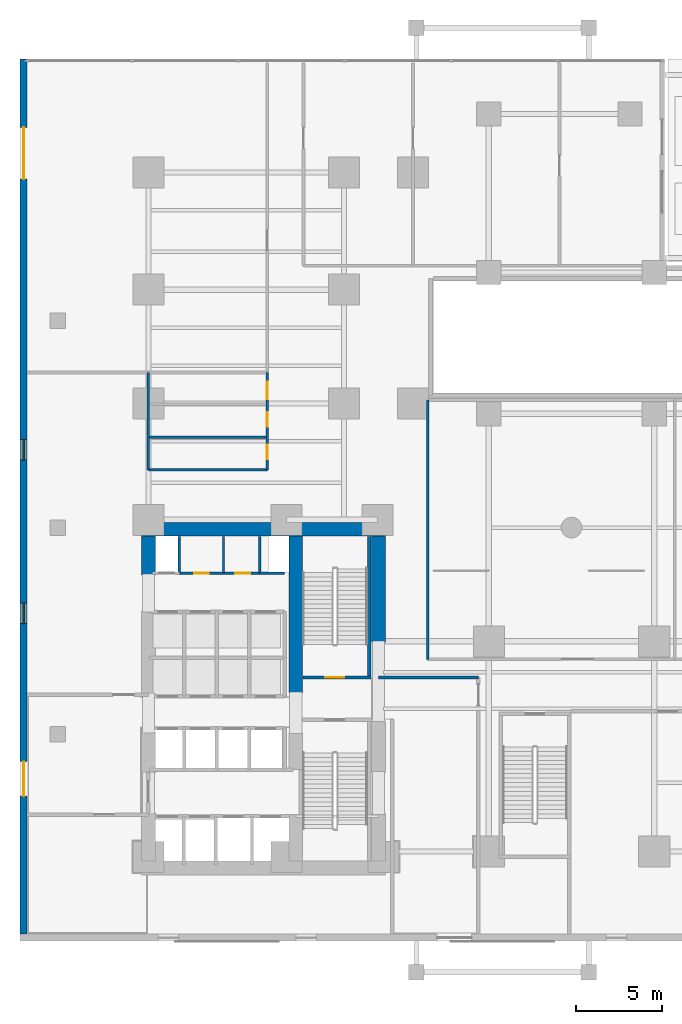
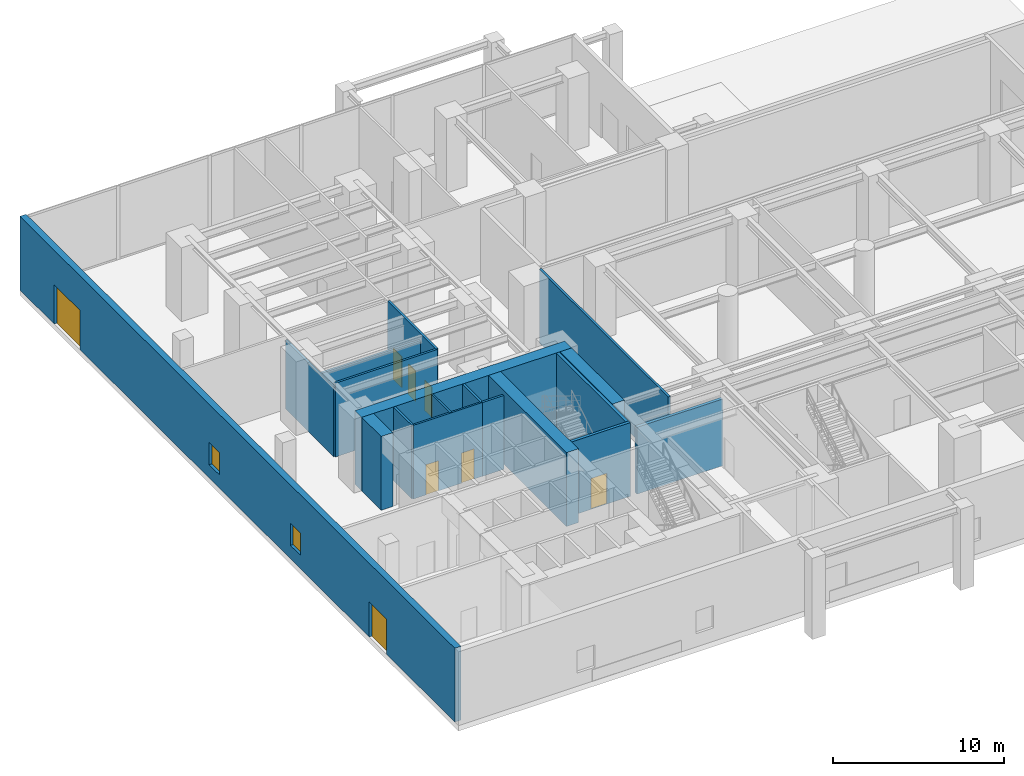
# One storey, part 12 of 17: 18 walls, 8 doors, 2 windows, 10 openings.
"""IFC4 building model written with IfcOpenShell, lengths in metres."""

from ifc_helpers import new_model, si_unit, direction, frame, frame_2d, origin, place, context, subcontext, project, spatial, rectangle, extrude, material, layer, layer_set, type_object, element, fill, save


model = new_model("IFC4")

# Units and contexts
model_context = context("Model", 3, precision=1e-05, world=origin(), true_north=direction((0.0, 1.0)))
body_context = subcontext(model_context, "Body", "Model", "MODEL_VIEW")
ifc_project = project(units=[si_unit("LENGTHUNIT", "METRE"), si_unit("AREAUNIT", "SQUARE_METRE"), si_unit("VOLUMEUNIT", "CUBIC_METRE"), si_unit("PLANEANGLEUNIT", "RADIAN"), si_unit("MASSUNIT", "GRAM", prefix="KILO")], contexts=[model_context])

# Site, building, storey
site_placement = place(None, origin())
site = spatial("IfcSite", under=ifc_project, at=site_placement, CompositionType="ELEMENT")
building_placement = place(site_placement, origin())
building = spatial("IfcBuilding", under=site, at=building_placement, Name="Kolvaren Waterfront Exchange", CompositionType="ELEMENT")
storey_placement = place(building_placement, origin())
storey = spatial("IfcBuildingStorey", under=building, at=storey_placement, Name="L01", CompositionType="ELEMENT", Elevation=0.0)

# Wall, openings, doors, windows
ifc_material_1 = material(Name="Precast concrete C40/50", Category="concrete")
ifc_layer_1 = layer(ifc_material_1, 0.419921875, Name="Precast concrete C40/50")
ifc_layer_set_1 = layer_set([ifc_layer_1], Name="Precast concrete C40/50")
wall_type_1 = type_object("IfcWallType", Name="ARC-EXT-GRANITE-420", PredefinedType="SOLIDWALL", material=ifc_layer_set_1)
wall_1_placement = place(storey_placement, frame((0.2099609375, 0.419921875, 0.0), z_axis=(0.0, 0.0, 1.0), x_axis=(0.0, 1.0, 0.0)))
wall_1 = element("IfcWall", 1, at=wall_1_placement, inside=storey, type_object=wall_type_1, Name="L01 west granite precast facade wall", PredefinedType="SOLIDWALL", context=body_context, shape_type="SweptSolid", body=[
    extrude(rectangle(XDim=50.780029296875, YDim=0.419921875, at=frame_2d((25.39013671875, 0.0))), origin(), (0.0, 0.0, 1.0), 5.260009765625),
])
opening_1_placement = place(wall_1_placement, frame((18.0, 0.0, 0.949951171875)))
opening_1 = element("IfcOpeningElement", 2, at=opening_1_placement, cuts=wall_1, Name="Opening W01", PredefinedType="OPENING", context=body_context, shape_type="SweptSolid", body=[
    extrude(rectangle(XDim=1.199951171875, YDim=1.60009765625, at=frame_2d((0.60009765625, 0.800048828125))), frame((0.0, 0.219970703125, 0.0), z_axis=(0.0, -1.0, 0.0), x_axis=(1.0, 0.0, 0.0)), (0.0, 0.0, 1.0), 0.43994140625),
])
opening_2_placement = place(wall_1_placement, frame((27.5, 0.0, 0.949951171875)))
opening_2 = element("IfcOpeningElement", 3, at=opening_2_placement, cuts=wall_1, Name="Opening W01", PredefinedType="OPENING", context=body_context, shape_type="SweptSolid", body=[
    extrude(rectangle(XDim=1.199951171875, YDim=1.60009765625, at=frame_2d((0.60009765625, 0.800048828125))), frame((0.0, 0.219970703125, 0.0), z_axis=(0.0, -1.0, 0.0), x_axis=(1.0, 0.0, 0.0)), (0.0, 0.0, 1.0), 0.43994140625),
])
opening_3_placement = place(wall_1_placement, frame((8.0, 0.0, 0.0)))
opening_3 = element("IfcOpeningElement", 4, at=opening_3_placement, cuts=wall_1, Name="Opening ED1", PredefinedType="OPENING", context=body_context, shape_type="SweptSolid", body=[
    extrude(rectangle(XDim=2.0, YDim=2.5, at=frame_2d((1.0, 1.25))), frame((0.0, 0.219970703125, 0.0), z_axis=(0.0, -1.0, 0.0), x_axis=(1.0, 0.0, 0.0)), (0.0, 0.0, 1.0), 0.43994140625),
])
opening_4_placement = place(wall_1_placement, frame((43.800048828125, 0.0, 0.0)))
opening_4 = element("IfcOpeningElement", 5, at=opening_4_placement, cuts=wall_1, Name="Opening VG2", PredefinedType="OPENING", context=body_context, shape_type="SweptSolid", body=[
    extrude(rectangle(XDim=3.0, YDim=2.800048828125, at=frame_2d((1.5, 1.39990234375))), frame((0.0, 0.219970703125, 0.0), z_axis=(0.0, -1.0, 0.0), x_axis=(1.0, 0.0, 0.0)), (0.0, 0.0, 1.0), 0.43994140625),
])
ifc_material_2 = material(Name="Anodised bronze aluminium and glass", Category="aluminium")
door_type_1 = type_object("IfcDoorType", Name="ARC-ED-2000", OperationType="NOTDEFINED", PredefinedType="DOOR", material=ifc_material_2)
door_1_placement = place(opening_3_placement, origin())
door_1 = element("IfcDoor", 6, at=door_1_placement, inside=storey, type_object=door_type_1, Name="L01 protected exit corridor west final exit door ED1", OperationType="SINGLE_SWING_LEFT", OverallHeight=2.5, OverallWidth=2.0, PredefinedType="DOOR", context=body_context, shape_type="SweptSolid", body=[
    extrude(rectangle(XDim=2.0, YDim=2.5, at=frame_2d((1.0, 1.25))), frame((0.0, 0.02490234375, 0.0), z_axis=(0.0, -1.0, 0.0), x_axis=(1.0, 0.0, 0.0)), (0.0, 0.0, 1.0), 0.050048828125),
])
fill(opening_3, door_1)
ifc_material_3 = material(Name="Anodised aluminium security slats", Category="aluminium")
door_type_2 = type_object("IfcDoorType", Name="ARC-GATE-SVC", OperationType="ROLLINGUP", PredefinedType="GATE", material=ifc_material_3)
door_2_placement = place(opening_4_placement, frame((3.0, 0.0, 0.0), z_axis=(0.0, 0.0, 1.0), x_axis=(-1.0, 0.0, 0.0)))
door_2 = element("IfcDoor", 7, at=door_2_placement, inside=storey, type_object=door_type_2, Name="L01 loading and service yard security roller gate", OperationType="ROLLINGUP", OverallHeight=2.800048828125, OverallWidth=3.0, PredefinedType="GATE", context=body_context, shape_type="SweptSolid", body=[
    extrude(rectangle(XDim=3.0, YDim=2.800048828125, at=frame_2d((1.5, 1.39990234375))), frame((0.0, 0.02490234375, 0.0), z_axis=(0.0, -1.0, 0.0), x_axis=(1.0, 0.0, 0.0)), (0.0, 0.0, 1.0), 0.050048828125),
])
fill(opening_4, door_2)
ifc_material_4 = material(Name="Bronze solar control vision glass", Category="aluminium")
window_type = type_object("IfcWindowType", Name="ARC-WIN-1200x1600", PartitioningType="SINGLE_PANEL", PredefinedType="WINDOW", material=ifc_material_4)
window_1_placement = place(opening_1_placement, origin())
window_1 = element("IfcWindow", 8, at=window_1_placement, inside=storey, type_object=window_type, Name="L01 west modular window 2", OverallHeight=1.60009765625, OverallWidth=1.199951171875, PartitioningType="SINGLE_PANEL", PredefinedType="WINDOW", context=body_context, shape_type="SweptSolid", body=[
    extrude(rectangle(XDim=1.199951171875, YDim=1.60009765625, at=frame_2d((0.60009765625, 0.800048828125))), frame((0.0, 0.030029296875, 0.0), z_axis=(0.0, -1.0, 0.0), x_axis=(1.0, 0.0, 0.0)), (0.0, 0.0, 1.0), 0.06005859375),
])
fill(opening_1, window_1)
window_2_placement = place(opening_2_placement, origin())
window_2 = element("IfcWindow", 9, at=window_2_placement, inside=storey, type_object=window_type, Name="L01 west modular window 3", OverallHeight=1.60009765625, OverallWidth=1.199951171875, PartitioningType="SINGLE_PANEL", PredefinedType="WINDOW", context=body_context, shape_type="SweptSolid", body=[
    extrude(rectangle(XDim=1.199951171875, YDim=1.60009765625, at=frame_2d((0.60009765625, 0.800048828125))), frame((0.0, 0.030029296875, 0.0), z_axis=(0.0, -1.0, 0.0), x_axis=(1.0, 0.0, 0.0)), (0.0, 0.0, 1.0), 0.06005859375),
])
fill(opening_2, window_2)

# Wall, opening, door
ifc_layer_2 = layer(ifc_material_1, 0.199951171875, Name="Precast concrete C40/50")
ifc_layer_set_2 = layer_set([ifc_layer_2], Name="Precast concrete C40/50")
wall_type_2 = type_object("IfcWallType", Name="ARC-FIRE-200", PredefinedType="PARTITIONING", material=ifc_layer_set_2)
wall_2_placement = place(storey_placement, frame((16.409912109375, 15.300048828125, 0.0), z_axis=(0.0, 0.0, 1.0), x_axis=(1.0, 0.0, 0.0)))
wall_2 = element("IfcWall", 10, at=wall_2_placement, inside=storey, type_object=wall_type_2, Name="L01 interior wall PW-L01-ST2-THROAT-N", PredefinedType="PARTITIONING", context=body_context, shape_type="SweptSolid", body=[
    extrude(rectangle(XDim=3.9501953125, YDim=0.199951171875, at=frame_2d((1.97509765625, 0.0))), origin(), (0.0, 0.0, 1.0), 5.260009765625),
])
opening_5_placement = place(wall_2_placement, frame((1.293701171875, 0.0, 0.0)))
opening_5 = element("IfcOpeningElement", 11, at=opening_5_placement, cuts=wall_2, Name="Opening FD2", PredefinedType="OPENING", context=body_context, shape_type="SweptSolid", body=[
    extrude(rectangle(XDim=1.10009765625, YDim=2.199951171875, at=frame_2d((0.550048828125, 1.10009765625))), frame((0.0, 0.10986328125, 0.0), z_axis=(0.0, -1.0, 0.0), x_axis=(1.0, 0.0, 0.0)), (0.0, 0.0, 1.0), 0.219970703125),
])
ifc_material_5 = material(Name="Pressed steel smoke-seal fire door", Category="steel")
door_type_3 = type_object("IfcDoorType", Name="ARC-FD-1100", OperationType="NOTDEFINED", PredefinedType="DOOR", material=ifc_material_5)
door_3_placement = place(opening_5_placement, origin())
door_3 = element("IfcDoor", 12, at=door_3_placement, inside=storey, type_object=door_type_3, Name="L01 door DR-L01-ST2-IN (FD2)", OperationType="SINGLE_SWING_LEFT", OverallHeight=2.199951171875, OverallWidth=1.10009765625, PredefinedType="DOOR", context=body_context, shape_type="SweptSolid", body=[
    extrude(rectangle(XDim=1.10009765625, YDim=2.199951171875, at=frame_2d((0.550048828125, 1.10009765625))), frame((0.0, 0.02490234375, 0.0), z_axis=(0.0, -1.0, 0.0), x_axis=(1.0, 0.0, 0.0)), (0.0, 0.0, 1.0), 0.050048828125),
])
fill(opening_5, door_3)

# Wall
wall_3_placement = place(storey_placement, frame((20.800048828125, 15.300048828125, 0.0), z_axis=(0.0, 0.0, 1.0), x_axis=(1.0, 0.0, 0.0)))
element("IfcWall", 13, at=wall_3_placement, inside=storey, type_object=wall_type_2, Name="L01 interior wall PW-L01-PEX-S-N", PredefinedType="PARTITIONING", context=body_context, shape_type="SweptSolid", body=[
    extrude(rectangle(XDim=5.800048828125, YDim=0.199951171875, at=frame_2d((2.89990234375, 0.0))), origin(), (0.0, 0.0, 1.0), 4.760009765625),
])

# Wall, openings, doors
ifc_material_6 = material(Name="Acoustic gypsum steel stud", Category="steel")
ifc_layer_3 = layer(ifc_material_6, 0.125, Name="Acoustic gypsum steel stud")
ifc_layer_set_3 = layer_set([ifc_layer_3], Name="Acoustic gypsum steel stud")
wall_type_3 = type_object("IfcWallType", Name="ARC-PART-125", PredefinedType="PARTITIONING", material=ifc_layer_set_3)
wall_4_placement = place(storey_placement, frame((9.25, 21.35009765625, 0.0), z_axis=(0.0, 0.0, 1.0), x_axis=(1.0, 0.0, 0.0)))
wall_4 = element("IfcWall", 14, at=wall_4_placement, inside=storey, type_object=wall_type_3, Name="L01 interior wall PW-L01-SVC-HI-S", PredefinedType="PARTITIONING", context=body_context, shape_type="SweptSolid", body=[
    extrude(rectangle(XDim=4.64990234375, YDim=0.125, at=frame_2d((2.324951171875, 0.0))), origin(), (0.0, 0.0, 1.0), 5.260009765625),
])
opening_6_placement = place(wall_4_placement, frame((0.85009765625, 0.0, 0.0)))
opening_6 = element("IfcOpeningElement", 15, at=opening_6_placement, cuts=wall_4, Name="Opening D01", PredefinedType="OPENING", context=body_context, shape_type="SweptSolid", body=[
    extrude(rectangle(XDim=0.85009765625, YDim=2.14990234375, at=frame_2d((0.425048828125, 1.074951171875))), frame((0.0, 0.072509765625, 0.0), z_axis=(0.0, -1.0, 0.0), x_axis=(1.0, 0.0, 0.0)), (0.0, 0.0, 1.0), 0.14501953125),
])
opening_7_placement = place(wall_4_placement, frame((3.25, 0.0, 0.0)))
opening_7 = element("IfcOpeningElement", 16, at=opening_7_placement, cuts=wall_4, Name="Opening D01", PredefinedType="OPENING", context=body_context, shape_type="SweptSolid", body=[
    extrude(rectangle(XDim=0.85009765625, YDim=2.14990234375, at=frame_2d((0.425048828125, 1.074951171875))), frame((0.0, 0.072509765625, 0.0), z_axis=(0.0, -1.0, 0.0), x_axis=(1.0, 0.0, 0.0)), (0.0, 0.0, 1.0), 0.14501953125),
])
ifc_material_7 = material(Name="Oak veneer timber leaf", Category="wood")
door_type_4 = type_object("IfcDoorType", Name="ARC-DR-900", OperationType="NOTDEFINED", PredefinedType="DOOR", material=ifc_material_7)
door_4_placement = place(opening_6_placement, origin())
door_4 = element("IfcDoor", 17, at=door_4_placement, inside=storey, type_object=door_type_4, Name="L01 door DR-L01-SVC-DR-1 (D01)", OperationType="SINGLE_SWING_LEFT", OverallHeight=2.14990234375, OverallWidth=0.85009765625, PredefinedType="DOOR", context=body_context, shape_type="SweptSolid", body=[
    extrude(rectangle(XDim=0.85009765625, YDim=2.14990234375, at=frame_2d((0.425048828125, 1.074951171875))), frame((0.0, 0.02490234375, 0.0), z_axis=(0.0, -1.0, 0.0), x_axis=(1.0, 0.0, 0.0)), (0.0, 0.0, 1.0), 0.050048828125),
])
fill(opening_6, door_4)
door_5_placement = place(opening_7_placement, origin())
door_5 = element("IfcDoor", 18, at=door_5_placement, inside=storey, type_object=door_type_4, Name="L01 door DR-L01-SVC-DR-2 (D01)", OperationType="SINGLE_SWING_RIGHT", OverallHeight=2.14990234375, OverallWidth=0.85009765625, PredefinedType="DOOR", context=body_context, shape_type="SweptSolid", body=[
    extrude(rectangle(XDim=0.85009765625, YDim=2.14990234375, at=frame_2d((0.425048828125, 1.074951171875))), frame((0.0, 0.02490234375, 0.0), z_axis=(0.0, -1.0, 0.0), x_axis=(1.0, 0.0, 0.0)), (0.0, 0.0, 1.0), 0.050048828125),
])
fill(opening_7, door_5)

# Walls
wall_5_placement = place(storey_placement, frame((11.800048828125, 21.35009765625, 0.0), z_axis=(0.0, 0.0, 1.0), x_axis=(0.0, 1.0, 0.0)))
element("IfcWall", 19, at=wall_5_placement, inside=storey, type_object=wall_type_3, Name="L01 interior wall PW-L01-SVC-HI-M", PredefinedType="PARTITIONING", context=body_context, shape_type="SweptSolid", body=[
    extrude(rectangle(XDim=2.1298828125, YDim=0.125, at=frame_2d((1.06494140625, 0.0))), origin(), (0.0, 0.0, 1.0), 5.260009765625),
])
ifc_material_8 = material(Name="Gypsum fireboard steel stud", Category="steel")
ifc_layer_4 = layer(ifc_material_8, 0.14990234375, Name="Gypsum fireboard steel stud")
ifc_layer_set_4 = layer_set([ifc_layer_4], Name="Gypsum fireboard steel stud")
wall_type_4 = type_object("IfcWallType", Name="ARC-PART-150", PredefinedType="PARTITIONING", material=ifc_layer_set_4)
for number, where, z_axis, x_axis, name in (
    (20, (9.25, 21.35009765625, 0.0), (0.0, 0.0, 1.0), (0.0, 1.0, 0.0), "L01 interior wall PW-L01-SVC-R1"),
    (21, (13.89990234375, 21.35009765625, 0.0), (0.0, 0.0, 1.0), (0.0, 1.0, 0.0), "L01 interior wall PW-L01-SVC-R2"),
):
    element("IfcWall", number, at=place(storey_placement, frame(where, z_axis=z_axis, x_axis=x_axis)), inside=storey, type_object=wall_type_4, Name=name, PredefinedType="PARTITIONING", context=body_context, shape_type="SweptSolid", body=[
        extrude(rectangle(XDim=2.1298828125, YDim=0.14990234375, at=frame_2d((1.06494140625, 0.0))), origin(), (0.0, 0.0, 1.0), 5.260009765625),
    ])
wall_6_placement = place(storey_placement, frame((13.89990234375, 21.35009765625, 0.0), z_axis=(0.0, 0.0, 1.0), x_axis=(1.0, 0.0, 0.0)))
element("IfcWall", 22, at=wall_6_placement, inside=storey, type_object=wall_type_4, Name="L01 interior wall PW-L01-SVC-RP-S", PredefinedType="PARTITIONING", context=body_context, shape_type="SweptSolid", body=[
    extrude(rectangle(XDim=1.4501953125, YDim=0.14990234375, at=frame_2d((0.72509765625, 0.0))), origin(), (0.0, 0.0, 1.0), 5.260009765625),
])
wall_7_placement = place(storey_placement, frame((23.64990234375, 16.35009765625, 0.0), z_axis=(0.0, 0.0, 1.0), x_axis=(0.0, 1.0, 0.0)))
element("IfcWall", 23, at=wall_7_placement, inside=storey, type_object=wall_type_4, Name="L01 interior wall PW-L01-POD-HALL-W", PredefinedType="PARTITIONING", context=body_context, shape_type="SweptSolid", body=[
    extrude(rectangle(XDim=15.0498046875, YDim=0.14990234375, at=frame_2d((7.52490234375, 0.0))), origin(), (0.0, 0.0, 1.0), 5.260009765625),
])
ifc_material_9 = material(Name="Moisture-resistant gypsum stud")
ifc_layer_5 = layer(ifc_material_9, 0.14990234375, Name="Moisture-resistant gypsum stud")
ifc_layer_set_5 = layer_set([ifc_layer_5], Name="Moisture-resistant gypsum stud")
wall_type_5 = type_object("IfcWallType", Name="ARC-PLUMB-150", PredefinedType="PLUMBINGWALL", material=ifc_layer_set_5)
wall_8_placement = place(storey_placement, frame((7.449951171875, 27.35009765625, 0.0), z_axis=(0.0, 0.0, 1.0), x_axis=(1.0, 0.0, 0.0)))
element("IfcWall", 24, at=wall_8_placement, inside=storey, type_object=wall_type_5, Name="L01 interior wall PW-L01-WC-S0", PredefinedType="PLUMBINGWALL", context=body_context, shape_type="SweptSolid", body=[
    extrude(rectangle(XDim=6.900146484375, YDim=0.14990234375, at=frame_2d((3.4501953125, 0.0))), origin(), (0.0, 0.0, 1.0), 5.260009765625),
])
wall_9_placement = place(storey_placement, frame((7.449951171875, 27.35009765625, 0.0), z_axis=(0.0, 0.0, 1.0), x_axis=(0.0, 1.0, 0.0)))
element("IfcWall", 25, at=wall_9_placement, inside=storey, type_object=wall_type_5, Name="L01 interior wall PW-L01-WC-W0", PredefinedType="PLUMBINGWALL", context=body_context, shape_type="SweptSolid", body=[
    extrude(rectangle(XDim=5.64990234375, YDim=0.14990234375, at=frame_2d((2.824951171875, 0.0))), origin(), (0.0, 0.0, 1.0), 4.89990234375),
])

# Wall, openings, doors
wall_10_placement = place(storey_placement, frame((14.35009765625, 27.35009765625, 0.0), z_axis=(0.0, 0.0, 1.0), x_axis=(0.0, 1.0, 0.0)))
wall_10 = element("IfcWall", 26, at=wall_10_placement, inside=storey, type_object=wall_type_5, Name="L01 interior wall PW-L01-WC-E", PredefinedType="PLUMBINGWALL", context=body_context, shape_type="SweptSolid", body=[
    extrude(rectangle(XDim=5.64990234375, YDim=0.14990234375, at=frame_2d((2.824951171875, 0.0))), origin(), (0.0, 0.0, 1.0), 5.260009765625),
])
opening_8_placement = place(wall_10_placement, frame((0.60009765625, 0.0, 0.0)))
opening_8 = element("IfcOpeningElement", 27, at=opening_8_placement, cuts=wall_10, Name="Opening D01", PredefinedType="OPENING", context=body_context, shape_type="SweptSolid", body=[
    extrude(rectangle(XDim=0.85009765625, YDim=2.14990234375, at=frame_2d((0.425048828125, 1.074951171875))), frame((0.0, 0.0849609375, 0.0), z_axis=(0.0, -1.0, 0.0), x_axis=(1.0, 0.0, 0.0)), (0.0, 0.0, 1.0), 0.169921875),
])
opening_9_placement = place(wall_10_placement, frame((2.5, 0.0, 0.0)))
opening_9 = element("IfcOpeningElement", 28, at=opening_9_placement, cuts=wall_10, Name="Opening D01", PredefinedType="OPENING", context=body_context, shape_type="SweptSolid", body=[
    extrude(rectangle(XDim=0.85009765625, YDim=2.14990234375, at=frame_2d((0.425048828125, 1.074951171875))), frame((0.0, 0.0849609375, 0.0), z_axis=(0.0, -1.0, 0.0), x_axis=(1.0, 0.0, 0.0)), (0.0, 0.0, 1.0), 0.169921875),
])
opening_10_placement = place(wall_10_placement, frame((4.10009765625, 0.0, 0.0)))
opening_10 = element("IfcOpeningElement", 29, at=opening_10_placement, cuts=wall_10, Name="Opening D03", PredefinedType="OPENING", context=body_context, shape_type="SweptSolid", body=[
    extrude(rectangle(XDim=1.0, YDim=2.199951171875, at=frame_2d((0.5, 1.10009765625))), frame((0.0, 0.0849609375, 0.0), z_axis=(0.0, -1.0, 0.0), x_axis=(1.0, 0.0, 0.0)), (0.0, 0.0, 1.0), 0.169921875),
])
ifc_material_10 = material(Name="Oak veneer accessible timber", Category="wood")
door_type_5 = type_object("IfcDoorType", Name="ARC-DR-1000", OperationType="NOTDEFINED", PredefinedType="DOOR", material=ifc_material_10)
door_6_placement = place(opening_10_placement, origin())
door_6 = element("IfcDoor", 30, at=door_6_placement, inside=storey, type_object=door_type_5, Name="L01 door DR-L01-WCA-D (D03)", OperationType="SINGLE_SWING_RIGHT", OverallHeight=2.199951171875, OverallWidth=1.0, PredefinedType="DOOR", context=body_context, shape_type="SweptSolid", body=[
    extrude(rectangle(XDim=1.0, YDim=2.199951171875, at=frame_2d((0.5, 1.10009765625))), frame((0.0, 0.02490234375, 0.0), z_axis=(0.0, -1.0, 0.0), x_axis=(1.0, 0.0, 0.0)), (0.0, 0.0, 1.0), 0.050048828125),
])
fill(opening_10, door_6)
door_7_placement = place(opening_8_placement, origin())
door_7 = element("IfcDoor", 31, at=door_7_placement, inside=storey, type_object=door_type_4, Name="L01 door DR-L01-WCM-D (D01)", OperationType="SINGLE_SWING_RIGHT", OverallHeight=2.14990234375, OverallWidth=0.85009765625, PredefinedType="DOOR", context=body_context, shape_type="SweptSolid", body=[
    extrude(rectangle(XDim=0.85009765625, YDim=2.14990234375, at=frame_2d((0.425048828125, 1.074951171875))), frame((0.0, 0.02490234375, 0.0), z_axis=(0.0, -1.0, 0.0), x_axis=(1.0, 0.0, 0.0)), (0.0, 0.0, 1.0), 0.050048828125),
])
fill(opening_8, door_7)
door_8_placement = place(opening_9_placement, origin())
door_8 = element("IfcDoor", 32, at=door_8_placement, inside=storey, type_object=door_type_4, Name="L01 door DR-L01-WCF-D (D01)", OperationType="SINGLE_SWING_LEFT", OverallHeight=2.14990234375, OverallWidth=0.85009765625, PredefinedType="DOOR", context=body_context, shape_type="SweptSolid", body=[
    extrude(rectangle(XDim=0.85009765625, YDim=2.14990234375, at=frame_2d((0.425048828125, 1.074951171875))), frame((0.0, 0.02490234375, 0.0), z_axis=(0.0, -1.0, 0.0), x_axis=(1.0, 0.0, 0.0)), (0.0, 0.0, 1.0), 0.050048828125),
])
fill(opening_9, door_8)

# Walls
wall_11_placement = place(storey_placement, frame((7.449951171875, 29.25, 0.0), z_axis=(0.0, 0.0, 1.0), x_axis=(1.0, 0.0, 0.0)))
element("IfcWall", 33, at=wall_11_placement, inside=storey, type_object=wall_type_5, Name="L01 interior wall PW-L01-WC-N1", PredefinedType="PLUMBINGWALL", context=body_context, shape_type="SweptSolid", body=[
    extrude(rectangle(XDim=6.900146484375, YDim=0.14990234375, at=frame_2d((3.4501953125, 0.0))), origin(), (0.0, 0.0, 1.0), 4.760009765625),
])
ifc_material_11 = material(Name="Concrete C40/50", Category="concrete")
ifc_layer_6 = layer(ifc_material_11, 0.199951171875, Name="Concrete C40/50")
ifc_layer_set_6 = layer_set([ifc_layer_6], Name="Concrete C40/50")
wall_type_6 = type_object("IfcWallType", Name="ARC-SHAFT-200", PredefinedType="PARTITIONING", material=ifc_layer_set_6)
wall_12_placement = place(storey_placement, frame((20.260009765625, 15.39990234375, 0.0), z_axis=(0.0, 0.0, 1.0), x_axis=(0.0, 1.0, 0.0)))
element("IfcWall", 34, at=wall_12_placement, inside=storey, type_object=wall_type_6, Name="L01 structural stairwell wall PW-L01-ST2-E", PredefinedType="SHEAR", context=body_context, shape_type="SweptSolid", body=[
    extrude(rectangle(XDim=8.090087890625, YDim=0.199951171875, at=frame_2d((4.044921875, 0.0))), origin(), (0.0, 0.0, 1.0), 5.260009765625),
])
ifc_material_12 = material(Name="Concrete C70/85", Category="concrete")
ifc_layer_7 = layer(ifc_material_12, 0.800048828125, Name="Concrete C70/85")
ifc_layer_set_7 = layer_set([ifc_layer_7], Name="Concrete C70/85")
wall_type_7 = type_object("IfcWallType", Name="STR-CWALL-800", PredefinedType="SHEAR", material=ifc_layer_set_7)
wall_13_placement = place(storey_placement, frame((7.050048828125, 23.89990234375, 0.0), z_axis=(0.0, 0.0, 1.0), x_axis=(1.0, 0.0, 0.0)))
element("IfcWall", 35, at=wall_13_placement, inside=storey, type_object=wall_type_7, Name="L01 rear-core shear wall N", PredefinedType="SHEAR", context=body_context, shape_type="SweptSolid", body=[
    extrude(rectangle(XDim=14.14990234375, YDim=0.800048828125, at=frame_2d((7.074951171875, 0.0))), origin(), (0.0, 0.0, 1.0), 5.260009765625),
])
wall_14_placement = place(storey_placement, frame((7.449951171875, 21.239990234375, 0.0), z_axis=(0.0, 0.0, 1.0), x_axis=(0.0, 1.0, 0.0)))
element("IfcWall", 36, at=wall_14_placement, inside=storey, type_object=wall_type_7, Name="L01 rear-core shear wall W3", PredefinedType="SHEAR", context=body_context, shape_type="SweptSolid", body=[
    extrude(rectangle(XDim=2.260009765625, YDim=0.800048828125, at=frame_2d((1.1298828125, 0.0))), origin(), (0.0, 0.0, 1.0), 5.260009765625),
])
wall_15_placement = place(storey_placement, frame((20.800048828125, 17.35009765625, 0.0), z_axis=(0.0, 0.0, 1.0), x_axis=(0.0, 1.0, 0.0)))
element("IfcWall", 37, at=wall_15_placement, inside=storey, type_object=wall_type_7, Name="L01 rear-core shear wall E3", PredefinedType="SHEAR", context=body_context, shape_type="SweptSolid", body=[
    extrude(rectangle(XDim=6.14990234375, YDim=0.800048828125, at=frame_2d((3.074951171875, 0.0))), origin(), (0.0, 0.0, 1.0), 5.260009765625),
])
wall_16_placement = place(storey_placement, frame((16.0, 14.39990234375, 0.0), z_axis=(0.0, 0.0, 1.0), x_axis=(0.0, 1.0, 0.0)))
element("IfcWall", 38, at=wall_16_placement, inside=storey, type_object=wall_type_7, Name="L01 rear-core shear wall M3", PredefinedType="SHEAR", context=body_context, shape_type="SweptSolid", body=[
    extrude(rectangle(XDim=9.10009765625, YDim=0.800048828125, at=frame_2d((4.550048828125, 0.0))), origin(), (0.0, 0.0, 1.0), 5.260009765625),
])

save(model, "model.ifc")
